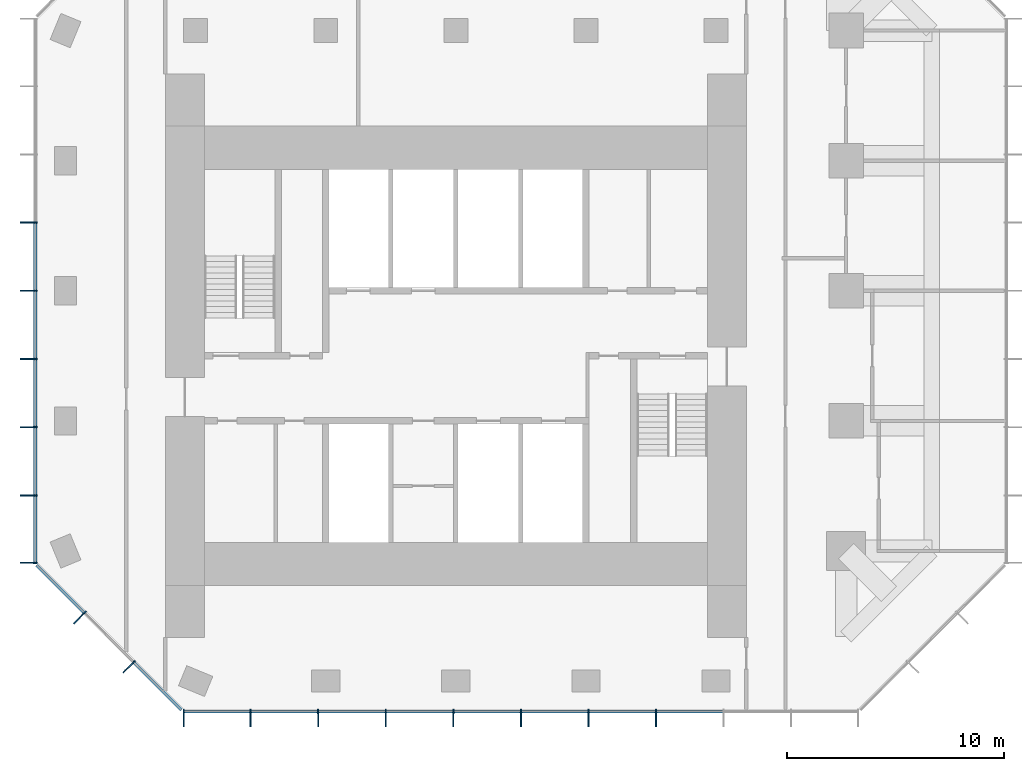
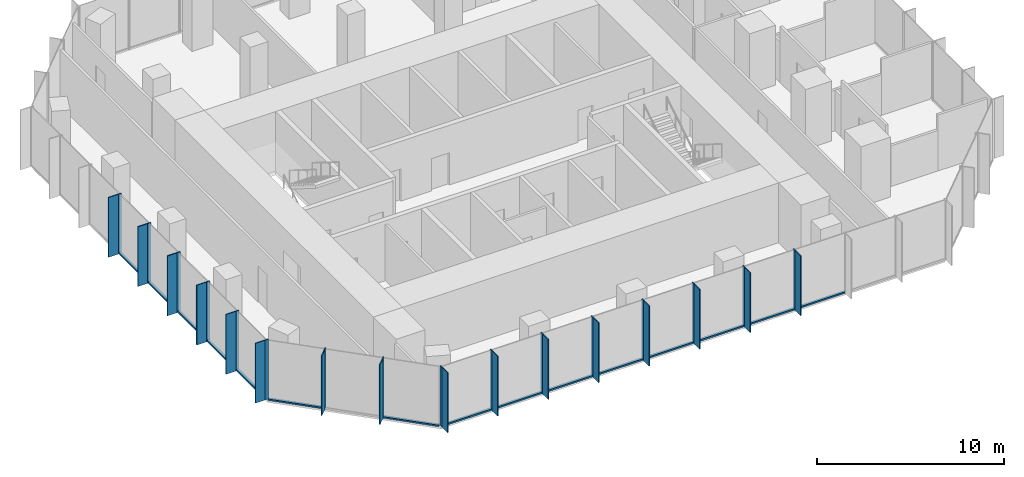
# One storey, part 2 of 10: 47 members, 3 elements without a shape of their own.
"""IFC4 building model written with IfcOpenShell, lengths in metres."""

from ifc_helpers import new_model, si_unit, direction, frame, origin, origin_2d, place, context, subcontext, project, spatial, rectangle, extrude, material, layer, layer_set, material_profile, profile_set, type_object, element, aggregate, save


model = new_model("IFC4")

# Units and contexts
model_context = context("Model", 3, precision=1e-05, world=origin(), true_north=direction((0.0, 1.0)))
body_context = subcontext(model_context, "Body", "Model", "MODEL_VIEW")
ifc_project = project(units=[si_unit("LENGTHUNIT", "METRE"), si_unit("AREAUNIT", "SQUARE_METRE"), si_unit("VOLUMEUNIT", "CUBIC_METRE"), si_unit("PLANEANGLEUNIT", "RADIAN"), si_unit("MASSUNIT", "GRAM", prefix="KILO")], contexts=[model_context])

# Site, building, storey
site_placement = place(None, origin())
site = spatial("IfcSite", under=ifc_project, at=site_placement, CompositionType="ELEMENT")
building_placement = place(site_placement, origin())
building = spatial("IfcBuilding", under=site, at=building_placement, Name="Highveld Stack Headquarters", CompositionType="ELEMENT")
storey_placement = place(building_placement, frame((0.0, 0.0, 248.89990234375)))
storey = spatial("IfcBuildingStorey", under=building, at=storey_placement, Name="L61", CompositionType="ELEMENT", Elevation=248.89990234375)

# Curtain wall, members
ifc_material_1 = material(Name="Aluminium bronze anodised", Category="aluminium")
ifc_layer = layer(ifc_material_1, 0.199951171875)
ifc_layer_set = layer_set([ifc_layer], Name="Aluminium bronze anodised")
curtain_wall_type = type_object("IfcCurtainWallType", Name="CW5 EXECUTIVE UNITISED CURTAIN WALL", PredefinedType="NOTDEFINED", material=ifc_layer_set)
curtain_wall_1_placement = place(storey_placement, origin())
curtain_wall_1 = element("IfcCurtainWall", 1, at=curtain_wall_1_placement, inside=storey, type_object=curtain_wall_type, Name="Curtain wall CW5 L61 S", PredefinedType="NOTDEFINED")
ifc_material_2 = material(Name="Aluminium bronze anodised", Category="aluminium")
ifc_material_profile_1 = material_profile(ifc_material_2, rectangle(XDim=0.60009765625, YDim=0.06005859375, at=origin_2d()), Name="FIN 600x60")
ifc_profile_set_1 = profile_set([ifc_material_profile_1], Name="Aluminium bronze anodised")
member_type_1 = type_object("IfcMemberType", Name="CW5 BRONZE FIN 600x60", PredefinedType="USERDEFINED", material=ifc_profile_set_1)
member_1_placement = place(storey_placement, frame((-6.54736328125, -13.800048828125, 0.0), z_axis=(0.0, 0.0, 1.0), x_axis=(0.0, 1.0, 0.0)))
member_1 = element("IfcMember", 2, at=member_1_placement, type_object=member_type_1, Name="CW5 fin L61 1", ObjectType="FIN", PredefinedType="USERDEFINED", context=body_context, shape_type="SweptSolid", body=[
    extrude(rectangle(XDim=0.60009765625, YDim=0.06005859375, at=origin_2d()), origin(), (0.0, 0.0, 1.0), 3.900146484375),
])
member_2_placement = place(storey_placement, frame((-3.4638671875, -13.800048828125, 0.0), z_axis=(0.0, 0.0, 1.0), x_axis=(0.0, 1.0, 0.0)))
member_2 = element("IfcMember", 3, at=member_2_placement, type_object=member_type_1, Name="CW5 fin L61 2", ObjectType="FIN", PredefinedType="USERDEFINED", context=body_context, shape_type="SweptSolid", body=[
    extrude(rectangle(XDim=0.60009765625, YDim=0.06005859375, at=origin_2d()), origin(), (0.0, 0.0, 1.0), 3.900146484375),
])
member_3_placement = place(storey_placement, frame((-0.347900390625, -13.800048828125, 0.0), z_axis=(0.0, 0.0, 1.0), x_axis=(0.0, 1.0, 0.0)))
member_3 = element("IfcMember", 4, at=member_3_placement, type_object=member_type_1, Name="CW5 fin L61 3", ObjectType="FIN", PredefinedType="USERDEFINED", context=body_context, shape_type="SweptSolid", body=[
    extrude(rectangle(XDim=0.60009765625, YDim=0.06005859375, at=origin_2d()), origin(), (0.0, 0.0, 1.0), 3.900146484375),
])
member_4_placement = place(storey_placement, frame((2.76806640625, -13.800048828125, 0.0), z_axis=(0.0, 0.0, 1.0), x_axis=(0.0, 1.0, 0.0)))
member_4 = element("IfcMember", 5, at=member_4_placement, type_object=member_type_1, Name="CW5 fin L61 4", ObjectType="FIN", PredefinedType="USERDEFINED", context=body_context, shape_type="SweptSolid", body=[
    extrude(rectangle(XDim=0.60009765625, YDim=0.06005859375, at=origin_2d()), origin(), (0.0, 0.0, 1.0), 3.900146484375),
])
member_5_placement = place(storey_placement, frame((5.884033203125, -13.800048828125, 0.0), z_axis=(0.0, 0.0, 1.0), x_axis=(0.0, 1.0, 0.0)))
member_5 = element("IfcMember", 6, at=member_5_placement, type_object=member_type_1, Name="CW5 fin L61 5", ObjectType="FIN", PredefinedType="USERDEFINED", context=body_context, shape_type="SweptSolid", body=[
    extrude(rectangle(XDim=0.60009765625, YDim=0.06005859375, at=origin_2d()), origin(), (0.0, 0.0, 1.0), 3.900146484375),
])
member_6_placement = place(storey_placement, frame((9.0, -13.800048828125, 0.0), z_axis=(0.0, 0.0, 1.0), x_axis=(0.0, 1.0, 0.0)))
member_6 = element("IfcMember", 7, at=member_6_placement, type_object=member_type_1, Name="CW5 fin L61 6", ObjectType="FIN", PredefinedType="USERDEFINED", context=body_context, shape_type="SweptSolid", body=[
    extrude(rectangle(XDim=0.60009765625, YDim=0.06005859375, at=origin_2d()), origin(), (0.0, 0.0, 1.0), 3.900146484375),
])
member_7_placement = place(storey_placement, frame((12.115966796875, -13.800048828125, 0.0), z_axis=(0.0, 0.0, 1.0), x_axis=(0.0, 1.0, 0.0)))
member_7 = element("IfcMember", 8, at=member_7_placement, type_object=member_type_1, Name="CW5 fin L61 7", ObjectType="FIN", PredefinedType="USERDEFINED", context=body_context, shape_type="SweptSolid", body=[
    extrude(rectangle(XDim=0.60009765625, YDim=0.06005859375, at=origin_2d()), origin(), (0.0, 0.0, 1.0), 3.900146484375),
])
member_8_placement = place(storey_placement, frame((15.23193359375, -13.800048828125, 0.0), z_axis=(0.0, 0.0, 1.0), x_axis=(0.0, 1.0, 0.0)))
member_8 = element("IfcMember", 9, at=member_8_placement, type_object=member_type_1, Name="CW5 fin L61 8", ObjectType="FIN", PredefinedType="USERDEFINED", context=body_context, shape_type="SweptSolid", body=[
    extrude(rectangle(XDim=0.60009765625, YDim=0.06005859375, at=origin_2d()), origin(), (0.0, 0.0, 1.0), 3.900146484375),
])

curtain_wall_2_placement = place(storey_placement, origin())
curtain_wall_2 = element("IfcCurtainWall", 10, at=curtain_wall_2_placement, inside=storey, type_object=curtain_wall_type, Name="Curtain wall CW5 L61 W", PredefinedType="NOTDEFINED")
member_9_placement = place(storey_placement, frame((-13.800048828125, 9.14501953125, 0.0), z_axis=(0.0, 0.0, 1.0), x_axis=(1.0, 0.0, 0.0)))
member_9 = element("IfcMember", 11, at=member_9_placement, type_object=member_type_1, Name="CW5 fin L61 4", ObjectType="FIN", PredefinedType="USERDEFINED", context=body_context, shape_type="SweptSolid", body=[
    extrude(rectangle(XDim=0.60009765625, YDim=0.06005859375, at=origin_2d()), origin(), (0.0, 0.0, 1.0), 3.900146484375),
])
member_10_placement = place(storey_placement, frame((-13.800048828125, 6.0, 0.0), z_axis=(0.0, 0.0, 1.0), x_axis=(1.0, 0.0, 0.0)))
member_10 = element("IfcMember", 12, at=member_10_placement, type_object=member_type_1, Name="CW5 fin L61 5", ObjectType="FIN", PredefinedType="USERDEFINED", context=body_context, shape_type="SweptSolid", body=[
    extrude(rectangle(XDim=0.60009765625, YDim=0.06005859375, at=origin_2d()), origin(), (0.0, 0.0, 1.0), 3.900146484375),
])
member_11_placement = place(storey_placement, frame((-13.800048828125, 2.85498046875, 0.0), z_axis=(0.0, 0.0, 1.0), x_axis=(1.0, 0.0, 0.0)))
member_11 = element("IfcMember", 13, at=member_11_placement, type_object=member_type_1, Name="CW5 fin L61 6", ObjectType="FIN", PredefinedType="USERDEFINED", context=body_context, shape_type="SweptSolid", body=[
    extrude(rectangle(XDim=0.60009765625, YDim=0.06005859375, at=origin_2d()), origin(), (0.0, 0.0, 1.0), 3.900146484375),
])
member_12_placement = place(storey_placement, frame((-13.800048828125, -0.2900390625, 0.0), z_axis=(0.0, 0.0, 1.0), x_axis=(1.0, 0.0, 0.0)))
member_12 = element("IfcMember", 14, at=member_12_placement, type_object=member_type_1, Name="CW5 fin L61 7", ObjectType="FIN", PredefinedType="USERDEFINED", context=body_context, shape_type="SweptSolid", body=[
    extrude(rectangle(XDim=0.60009765625, YDim=0.06005859375, at=origin_2d()), origin(), (0.0, 0.0, 1.0), 3.900146484375),
])
member_13_placement = place(storey_placement, frame((-13.800048828125, -3.434814453125, 0.0), z_axis=(0.0, 0.0, 1.0), x_axis=(1.0, 0.0, 0.0)))
member_13 = element("IfcMember", 15, at=member_13_placement, type_object=member_type_1, Name="CW5 fin L61 8", ObjectType="FIN", PredefinedType="USERDEFINED", context=body_context, shape_type="SweptSolid", body=[
    extrude(rectangle(XDim=0.60009765625, YDim=0.06005859375, at=origin_2d()), origin(), (0.0, 0.0, 1.0), 3.900146484375),
])
member_14_placement = place(storey_placement, frame((-13.800048828125, -6.54736328125, 0.0), z_axis=(0.0, 0.0, 1.0), x_axis=(1.0, 0.0, 0.0)))
member_14 = element("IfcMember", 16, at=member_14_placement, type_object=member_type_1, Name="CW5 fin L61 9", ObjectType="FIN", PredefinedType="USERDEFINED", context=body_context, shape_type="SweptSolid", body=[
    extrude(rectangle(XDim=0.60009765625, YDim=0.06005859375, at=origin_2d()), origin(), (0.0, 0.0, 1.0), 3.900146484375),
])

curtain_wall_3_placement = place(storey_placement, origin())
curtain_wall_3 = element("IfcCurtainWall", 17, at=curtain_wall_3_placement, inside=storey, type_object=curtain_wall_type, Name="Curtain wall CW5 L61 SW", PredefinedType="NOTDEFINED")
member_15_placement = place(storey_placement, frame((-11.409423828125, -9.135986328125, 0.0), z_axis=(0.0, 0.0, 1.0), x_axis=(0.707106781187, 0.707106781187, 0.0)))
member_15 = element("IfcMember", 18, at=member_15_placement, type_object=member_type_1, Name="CW5 fin L61 1", ObjectType="FIN", PredefinedType="USERDEFINED", context=body_context, shape_type="SweptSolid", body=[
    extrude(rectangle(XDim=0.60009765625, YDim=0.06005859375, at=origin_2d()), origin(), (0.0, 0.0, 1.0), 3.900146484375),
])
member_16_placement = place(storey_placement, frame((-9.135986328125, -11.409423828125, 0.0), z_axis=(0.0, 0.0, 1.0), x_axis=(0.707106781187, 0.707106781187, 0.0)))
member_16 = element("IfcMember", 19, at=member_16_placement, type_object=member_type_1, Name="CW5 fin L61 2", ObjectType="FIN", PredefinedType="USERDEFINED", context=body_context, shape_type="SweptSolid", body=[
    extrude(rectangle(XDim=0.60009765625, YDim=0.06005859375, at=origin_2d()), origin(), (0.0, 0.0, 1.0), 3.900146484375),
])

# Member
ifc_material_3 = material(Name="Aluminium bronze anodised", Category="aluminium")
ifc_material_profile_2 = material_profile(ifc_material_3, rectangle(XDim=0.199951171875, YDim=0.06494140625, at=origin_2d()), Name="CW5 MULLION 65x200")
ifc_profile_set_2 = profile_set([ifc_material_profile_2], Name="Aluminium bronze anodised")
member_type_2 = type_object("IfcMemberType", Name="CW5 MULLION 65x200", PredefinedType="MULLION", material=ifc_profile_set_2)
member_17_placement = place(storey_placement, frame((-6.54736328125, -13.39990234375, 0.0), z_axis=(0.0, 0.0, 1.0), x_axis=(0.0, 1.0, 0.0)))
member_17 = element("IfcMember", 20, at=member_17_placement, type_object=member_type_2, Name="CW5 mullion L61 1", PredefinedType="MULLION", context=body_context, shape_type="SweptSolid", body=[
    extrude(rectangle(XDim=0.199951171875, YDim=0.06494140625, at=origin_2d()), origin(), (0.0, 0.0, 1.0), 3.900146484375),
])

member_18_placement = place(storey_placement, frame((-3.4638671875, -13.39990234375, 0.0), z_axis=(0.0, 0.0, 1.0), x_axis=(0.0, 1.0, 0.0)))
member_18 = element("IfcMember", 21, at=member_18_placement, type_object=member_type_2, Name="CW5 mullion L61 2", PredefinedType="MULLION", context=body_context, shape_type="SweptSolid", body=[
    extrude(rectangle(XDim=0.199951171875, YDim=0.06494140625, at=origin_2d()), origin(), (0.0, 0.0, 1.0), 3.900146484375),
])

member_19_placement = place(storey_placement, frame((-0.347900390625, -13.39990234375, 0.0), z_axis=(0.0, 0.0, 1.0), x_axis=(0.0, 1.0, 0.0)))
member_19 = element("IfcMember", 22, at=member_19_placement, type_object=member_type_2, Name="CW5 mullion L61 3", PredefinedType="MULLION", context=body_context, shape_type="SweptSolid", body=[
    extrude(rectangle(XDim=0.199951171875, YDim=0.06494140625, at=origin_2d()), origin(), (0.0, 0.0, 1.0), 3.900146484375),
])

member_20_placement = place(storey_placement, frame((2.76806640625, -13.39990234375, 0.0), z_axis=(0.0, 0.0, 1.0), x_axis=(0.0, 1.0, 0.0)))
member_20 = element("IfcMember", 23, at=member_20_placement, type_object=member_type_2, Name="CW5 mullion L61 4", PredefinedType="MULLION", context=body_context, shape_type="SweptSolid", body=[
    extrude(rectangle(XDim=0.199951171875, YDim=0.06494140625, at=origin_2d()), origin(), (0.0, 0.0, 1.0), 3.900146484375),
])

member_21_placement = place(storey_placement, frame((5.884033203125, -13.39990234375, 0.0), z_axis=(0.0, 0.0, 1.0), x_axis=(0.0, 1.0, 0.0)))
member_21 = element("IfcMember", 24, at=member_21_placement, type_object=member_type_2, Name="CW5 mullion L61 5", PredefinedType="MULLION", context=body_context, shape_type="SweptSolid", body=[
    extrude(rectangle(XDim=0.199951171875, YDim=0.06494140625, at=origin_2d()), origin(), (0.0, 0.0, 1.0), 3.900146484375),
])

member_22_placement = place(storey_placement, frame((9.0, -13.39990234375, 0.0), z_axis=(0.0, 0.0, 1.0), x_axis=(0.0, 1.0, 0.0)))
member_22 = element("IfcMember", 25, at=member_22_placement, type_object=member_type_2, Name="CW5 mullion L61 6", PredefinedType="MULLION", context=body_context, shape_type="SweptSolid", body=[
    extrude(rectangle(XDim=0.199951171875, YDim=0.06494140625, at=origin_2d()), origin(), (0.0, 0.0, 1.0), 3.900146484375),
])

member_23_placement = place(storey_placement, frame((12.115966796875, -13.39990234375, 0.0), z_axis=(0.0, 0.0, 1.0), x_axis=(0.0, 1.0, 0.0)))
member_23 = element("IfcMember", 26, at=member_23_placement, type_object=member_type_2, Name="CW5 mullion L61 7", PredefinedType="MULLION", context=body_context, shape_type="SweptSolid", body=[
    extrude(rectangle(XDim=0.199951171875, YDim=0.06494140625, at=origin_2d()), origin(), (0.0, 0.0, 1.0), 3.900146484375),
])

member_24_placement = place(storey_placement, frame((15.23193359375, -13.39990234375, 0.0), z_axis=(0.0, 0.0, 1.0), x_axis=(0.0, 1.0, 0.0)))
member_24 = element("IfcMember", 27, at=member_24_placement, type_object=member_type_2, Name="CW5 mullion L61 8", PredefinedType="MULLION", context=body_context, shape_type="SweptSolid", body=[
    extrude(rectangle(XDim=0.199951171875, YDim=0.06494140625, at=origin_2d()), origin(), (0.0, 0.0, 1.0), 3.900146484375),
])

member_25_placement = place(storey_placement, frame((-13.39990234375, 9.14501953125, 0.0), z_axis=(0.0, 0.0, 1.0), x_axis=(1.0, 0.0, 0.0)))
member_25 = element("IfcMember", 28, at=member_25_placement, type_object=member_type_2, Name="CW5 mullion L61 4", PredefinedType="MULLION", context=body_context, shape_type="SweptSolid", body=[
    extrude(rectangle(XDim=0.199951171875, YDim=0.06494140625, at=origin_2d()), origin(), (0.0, 0.0, 1.0), 3.900146484375),
])

member_26_placement = place(storey_placement, frame((-13.39990234375, 6.0, 0.0), z_axis=(0.0, 0.0, 1.0), x_axis=(1.0, 0.0, 0.0)))
member_26 = element("IfcMember", 29, at=member_26_placement, type_object=member_type_2, Name="CW5 mullion L61 5", PredefinedType="MULLION", context=body_context, shape_type="SweptSolid", body=[
    extrude(rectangle(XDim=0.199951171875, YDim=0.06494140625, at=origin_2d()), origin(), (0.0, 0.0, 1.0), 3.900146484375),
])

member_27_placement = place(storey_placement, frame((-13.39990234375, 2.85498046875, 0.0), z_axis=(0.0, 0.0, 1.0), x_axis=(1.0, 0.0, 0.0)))
member_27 = element("IfcMember", 30, at=member_27_placement, type_object=member_type_2, Name="CW5 mullion L61 6", PredefinedType="MULLION", context=body_context, shape_type="SweptSolid", body=[
    extrude(rectangle(XDim=0.199951171875, YDim=0.06494140625, at=origin_2d()), origin(), (0.0, 0.0, 1.0), 3.900146484375),
])

member_28_placement = place(storey_placement, frame((-13.39990234375, -0.2900390625, 0.0), z_axis=(0.0, 0.0, 1.0), x_axis=(1.0, 0.0, 0.0)))
member_28 = element("IfcMember", 31, at=member_28_placement, type_object=member_type_2, Name="CW5 mullion L61 7", PredefinedType="MULLION", context=body_context, shape_type="SweptSolid", body=[
    extrude(rectangle(XDim=0.199951171875, YDim=0.06494140625, at=origin_2d()), origin(), (0.0, 0.0, 1.0), 3.900146484375),
])

member_29_placement = place(storey_placement, frame((-13.39990234375, -3.434814453125, 0.0), z_axis=(0.0, 0.0, 1.0), x_axis=(1.0, 0.0, 0.0)))
member_29 = element("IfcMember", 32, at=member_29_placement, type_object=member_type_2, Name="CW5 mullion L61 8", PredefinedType="MULLION", context=body_context, shape_type="SweptSolid", body=[
    extrude(rectangle(XDim=0.199951171875, YDim=0.06494140625, at=origin_2d()), origin(), (0.0, 0.0, 1.0), 3.900146484375),
])

member_30_placement = place(storey_placement, frame((-13.39990234375, -6.54736328125, 0.0), z_axis=(0.0, 0.0, 1.0), x_axis=(1.0, 0.0, 0.0)))
member_30 = element("IfcMember", 33, at=member_30_placement, type_object=member_type_2, Name="CW5 mullion L61 9", PredefinedType="MULLION", context=body_context, shape_type="SweptSolid", body=[
    extrude(rectangle(XDim=0.199951171875, YDim=0.06494140625, at=origin_2d()), origin(), (0.0, 0.0, 1.0), 3.900146484375),
])

member_31_placement = place(storey_placement, frame((-11.126708984375, -8.853271484375, 0.0), z_axis=(0.0, 0.0, 1.0), x_axis=(0.707106781187, 0.707106781187, 0.0)))
member_31 = element("IfcMember", 34, at=member_31_placement, type_object=member_type_2, Name="CW5 mullion L61 1", PredefinedType="MULLION", context=body_context, shape_type="SweptSolid", body=[
    extrude(rectangle(XDim=0.199951171875, YDim=0.06494140625, at=origin_2d()), origin(), (0.0, 0.0, 1.0), 3.900146484375),
])

member_32_placement = place(storey_placement, frame((-8.853271484375, -11.126708984375, 0.0), z_axis=(0.0, 0.0, 1.0), x_axis=(0.707106781187, 0.707106781187, 0.0)))
member_32 = element("IfcMember", 35, at=member_32_placement, type_object=member_type_2, Name="CW5 mullion L61 2", PredefinedType="MULLION", context=body_context, shape_type="SweptSolid", body=[
    extrude(rectangle(XDim=0.199951171875, YDim=0.06494140625, at=origin_2d()), origin(), (0.0, 0.0, 1.0), 3.900146484375),
])

ifc_material_4 = material(Name="Aluminium bronze anodised", Category="aluminium")
ifc_material_profile_3 = material_profile(ifc_material_4, rectangle(XDim=0.14990234375, YDim=0.10009765625, at=origin_2d()), Name="CW5 TRANSOM 150x100")
ifc_profile_set_3 = profile_set([ifc_material_profile_3], Name="Aluminium bronze anodised")
member_type_3 = type_object("IfcMemberType", Name="CW5 STACK TRANSOM 150x100", PredefinedType="USERDEFINED", material=ifc_profile_set_3)
member_33_placement = place(storey_placement, frame((-6.514892578125, -13.39990234375, 0.050048828125), z_axis=(1.0, 0.0, 0.0), x_axis=(0.0, 1.0, 0.0)))
member_33 = element("IfcMember", 36, at=member_33_placement, type_object=member_type_3, Name="CW5 transom L61 1.1", ObjectType="TRANSOM", PredefinedType="USERDEFINED", context=body_context, shape_type="SweptSolid", body=[
    extrude(rectangle(XDim=0.14990234375, YDim=0.10009765625, at=origin_2d()), origin(), (0.0, 0.0, 1.0), 3.0185546875),
])

member_34_placement = place(storey_placement, frame((-3.431396484375, -13.39990234375, 0.050048828125), z_axis=(1.0, 0.0, 0.0), x_axis=(0.0, 1.0, 0.0)))
member_34 = element("IfcMember", 37, at=member_34_placement, type_object=member_type_3, Name="CW5 transom L61 2.1", ObjectType="TRANSOM", PredefinedType="USERDEFINED", context=body_context, shape_type="SweptSolid", body=[
    extrude(rectangle(XDim=0.14990234375, YDim=0.10009765625, at=origin_2d()), origin(), (0.0, 0.0, 1.0), 3.051025390625),
])

member_35_placement = place(storey_placement, frame((-0.3154296875, -13.39990234375, 0.050048828125), z_axis=(1.0, 0.0, 0.0), x_axis=(0.0, 1.0, 0.0)))
member_35 = element("IfcMember", 38, at=member_35_placement, type_object=member_type_3, Name="CW5 transom L61 3.1", ObjectType="TRANSOM", PredefinedType="USERDEFINED", context=body_context, shape_type="SweptSolid", body=[
    extrude(rectangle(XDim=0.14990234375, YDim=0.10009765625, at=origin_2d()), origin(), (0.0, 0.0, 1.0), 3.051025390625),
])

member_36_placement = place(storey_placement, frame((2.800537109375, -13.39990234375, 0.050048828125), z_axis=(1.0, 0.0, 0.0), x_axis=(0.0, 1.0, 0.0)))
member_36 = element("IfcMember", 39, at=member_36_placement, type_object=member_type_3, Name="CW5 transom L61 4.1", ObjectType="TRANSOM", PredefinedType="USERDEFINED", context=body_context, shape_type="SweptSolid", body=[
    extrude(rectangle(XDim=0.14990234375, YDim=0.10009765625, at=origin_2d()), origin(), (0.0, 0.0, 1.0), 3.051025390625),
])

member_37_placement = place(storey_placement, frame((5.91650390625, -13.39990234375, 0.050048828125), z_axis=(1.0, 0.0, 0.0), x_axis=(0.0, 1.0, 0.0)))
member_37 = element("IfcMember", 40, at=member_37_placement, type_object=member_type_3, Name="CW5 transom L61 5.1", ObjectType="TRANSOM", PredefinedType="USERDEFINED", context=body_context, shape_type="SweptSolid", body=[
    extrude(rectangle(XDim=0.14990234375, YDim=0.10009765625, at=origin_2d()), origin(), (0.0, 0.0, 1.0), 3.051025390625),
])

member_38_placement = place(storey_placement, frame((9.032470703125, -13.39990234375, 0.050048828125), z_axis=(1.0, 0.0, 0.0), x_axis=(0.0, 1.0, 0.0)))
member_38 = element("IfcMember", 41, at=member_38_placement, type_object=member_type_3, Name="CW5 transom L61 6.1", ObjectType="TRANSOM", PredefinedType="USERDEFINED", context=body_context, shape_type="SweptSolid", body=[
    extrude(rectangle(XDim=0.14990234375, YDim=0.10009765625, at=origin_2d()), origin(), (0.0, 0.0, 1.0), 3.051025390625),
])

member_39_placement = place(storey_placement, frame((12.1484375, -13.39990234375, 0.050048828125), z_axis=(1.0, 0.0, 0.0), x_axis=(0.0, 1.0, 0.0)))
member_39 = element("IfcMember", 42, at=member_39_placement, type_object=member_type_3, Name="CW5 transom L61 7.1", ObjectType="TRANSOM", PredefinedType="USERDEFINED", context=body_context, shape_type="SweptSolid", body=[
    extrude(rectangle(XDim=0.14990234375, YDim=0.10009765625, at=origin_2d()), origin(), (0.0, 0.0, 1.0), 3.051025390625),
])

member_40_placement = place(storey_placement, frame((15.264404296875, -13.39990234375, 0.050048828125), z_axis=(1.0, 0.0, 0.0), x_axis=(0.0, 1.0, 0.0)))
member_40 = element("IfcMember", 43, at=member_40_placement, type_object=member_type_3, Name="CW5 transom L61 8.1", ObjectType="TRANSOM", PredefinedType="USERDEFINED", context=body_context, shape_type="SweptSolid", body=[
    extrude(rectangle(XDim=0.14990234375, YDim=0.10009765625, at=origin_2d()), origin(), (0.0, 0.0, 1.0), 3.051025390625),
])

aggregate(curtain_wall_1, [member_17, member_1, member_18, member_2, member_19, member_3, member_20, member_4, member_21, member_5, member_22, member_6, member_23, member_7, member_24, member_8, member_33, member_34, member_35, member_36, member_37, member_38, member_39, member_40])

member_41_placement = place(storey_placement, frame((-13.39990234375, 9.112548828125, 0.050048828125), z_axis=(0.0, -1.0, 0.0), x_axis=(1.0, 0.0, 0.0)))
member_41 = element("IfcMember", 44, at=member_41_placement, type_object=member_type_3, Name="CW5 transom L61 4.1", ObjectType="TRANSOM", PredefinedType="USERDEFINED", context=body_context, shape_type="SweptSolid", body=[
    extrude(rectangle(XDim=0.14990234375, YDim=0.10009765625, at=origin_2d()), origin(), (0.0, 0.0, 1.0), 3.080078125),
])

member_42_placement = place(storey_placement, frame((-13.39990234375, 5.967529296875, 0.050048828125), z_axis=(0.0, -1.0, 0.0), x_axis=(1.0, 0.0, 0.0)))
member_42 = element("IfcMember", 45, at=member_42_placement, type_object=member_type_3, Name="CW5 transom L61 5.1", ObjectType="TRANSOM", PredefinedType="USERDEFINED", context=body_context, shape_type="SweptSolid", body=[
    extrude(rectangle(XDim=0.14990234375, YDim=0.10009765625, at=origin_2d()), origin(), (0.0, 0.0, 1.0), 3.080078125),
])

member_43_placement = place(storey_placement, frame((-13.39990234375, 2.822509765625, 0.050048828125), z_axis=(0.0, -1.0, 0.0), x_axis=(1.0, 0.0, 0.0)))
member_43 = element("IfcMember", 46, at=member_43_placement, type_object=member_type_3, Name="CW5 transom L61 6.1", ObjectType="TRANSOM", PredefinedType="USERDEFINED", context=body_context, shape_type="SweptSolid", body=[
    extrude(rectangle(XDim=0.14990234375, YDim=0.10009765625, at=origin_2d()), origin(), (0.0, 0.0, 1.0), 3.080078125),
])

member_44_placement = place(storey_placement, frame((-13.39990234375, -0.322509765625, 0.050048828125), z_axis=(0.0, -1.0, 0.0), x_axis=(1.0, 0.0, 0.0)))
member_44 = element("IfcMember", 47, at=member_44_placement, type_object=member_type_3, Name="CW5 transom L61 7.1", ObjectType="TRANSOM", PredefinedType="USERDEFINED", context=body_context, shape_type="SweptSolid", body=[
    extrude(rectangle(XDim=0.14990234375, YDim=0.10009765625, at=origin_2d()), origin(), (0.0, 0.0, 1.0), 3.079833984375),
])

member_45_placement = place(storey_placement, frame((-13.39990234375, -3.46728515625, 0.050048828125), z_axis=(0.0, -1.0, 0.0), x_axis=(1.0, 0.0, 0.0)))
member_45 = element("IfcMember", 48, at=member_45_placement, type_object=member_type_3, Name="CW5 transom L61 8.1", ObjectType="TRANSOM", PredefinedType="USERDEFINED", context=body_context, shape_type="SweptSolid", body=[
    extrude(rectangle(XDim=0.14990234375, YDim=0.10009765625, at=origin_2d()), origin(), (0.0, 0.0, 1.0), 3.047607421875),
])

aggregate(curtain_wall_2, [member_25, member_9, member_26, member_10, member_27, member_11, member_28, member_12, member_29, member_13, member_30, member_14, member_41, member_42, member_43, member_44, member_45])

member_46_placement = place(storey_placement, frame((-13.329345703125, -6.650634765625, 0.050048828125), z_axis=(0.707106781187, -0.707106781187, 0.0), x_axis=(0.707106781187, 0.707106781187, 0.0)))
member_46 = element("IfcMember", 49, at=member_46_placement, type_object=member_type_3, Name="CW5 transom L61 1.1", ObjectType="TRANSOM", PredefinedType="USERDEFINED", context=body_context, shape_type="SweptSolid", body=[
    extrude(rectangle(XDim=0.14990234375, YDim=0.10009765625, at=origin_2d()), origin(), (0.0, 0.0, 1.0), 3.08251953125),
])

member_47_placement = place(storey_placement, frame((-8.830322265625, -11.149658203125, 0.050048828125), z_axis=(0.707106781187, -0.707106781187, 0.0), x_axis=(0.707106781187, 0.707106781187, 0.0)))
member_47 = element("IfcMember", 50, at=member_47_placement, type_object=member_type_3, Name="CW5 transom L61 3.1", ObjectType="TRANSOM", PredefinedType="USERDEFINED", context=body_context, shape_type="SweptSolid", body=[
    extrude(rectangle(XDim=0.14990234375, YDim=0.10009765625, at=origin_2d()), origin(), (0.0, 0.0, 1.0), 3.08251953125),
])

aggregate(curtain_wall_3, [member_31, member_15, member_32, member_16, member_46, member_47])

save(model, "model.ifc")
